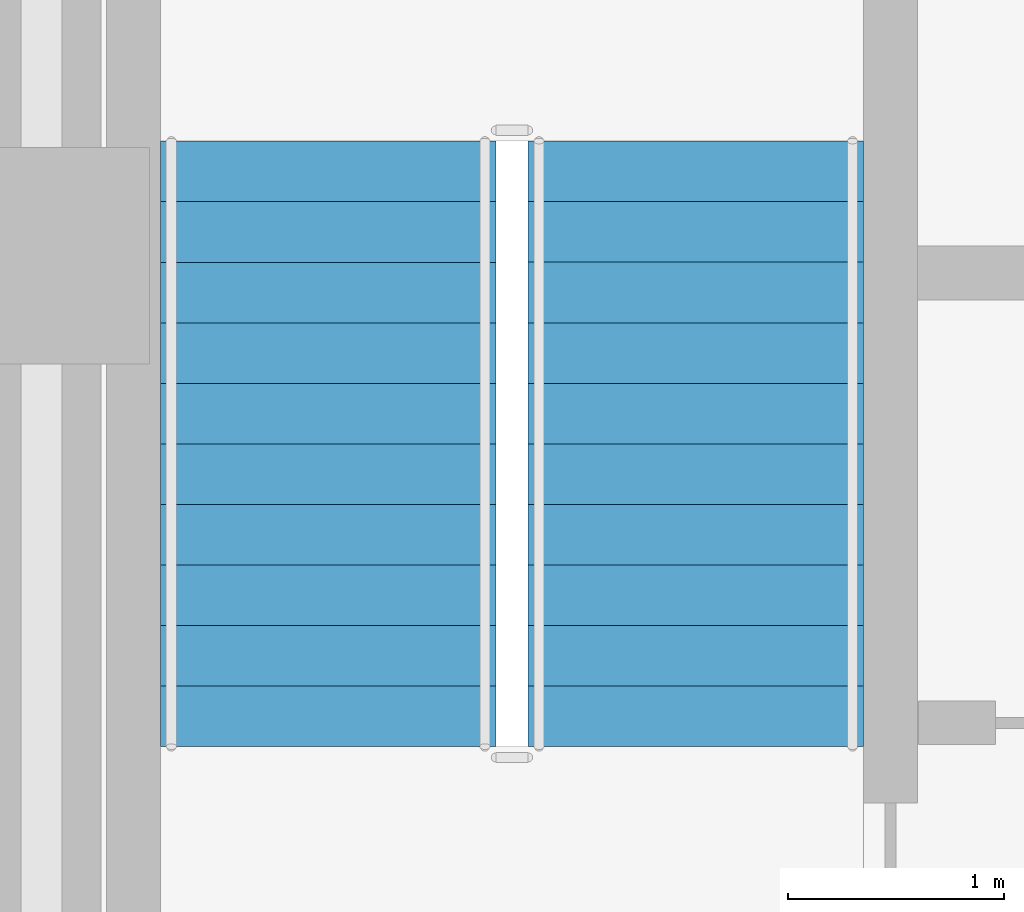
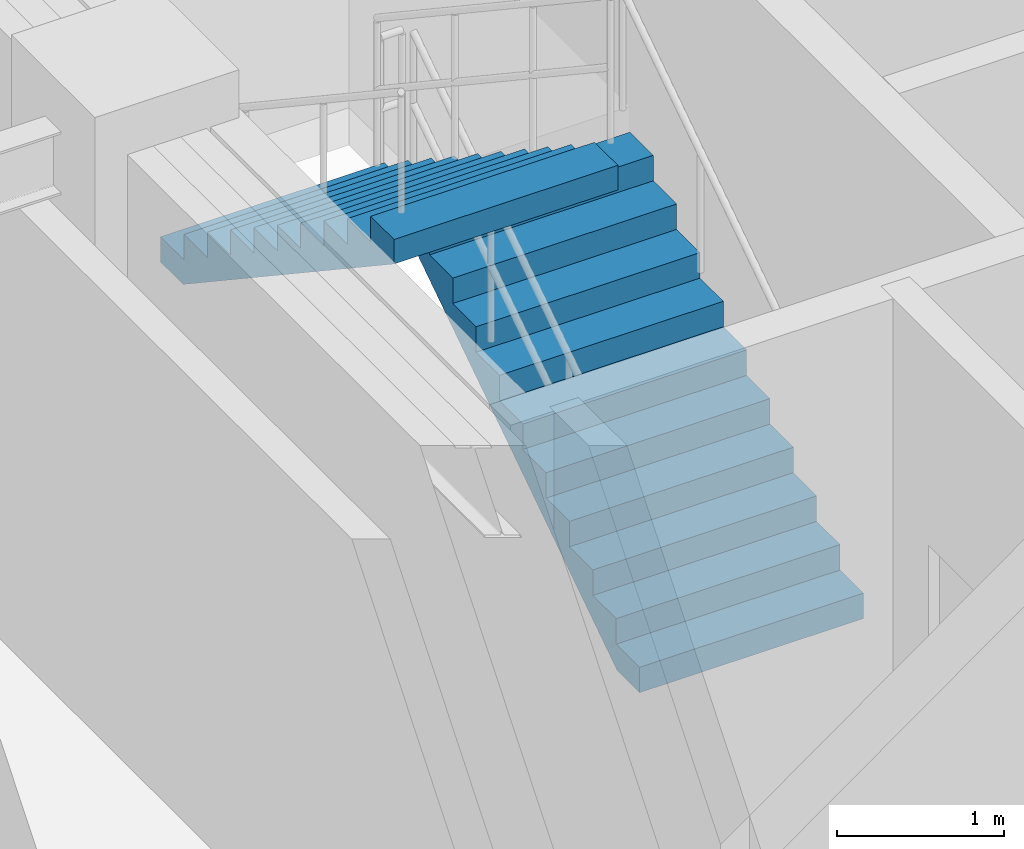
# One storey, part 27 of 30: 2 stair flights, 1 element without a shape of its own.
"""IFC4 building model written with IfcOpenShell, lengths in metres."""

from ifc_helpers import new_model, si_unit, direction, frame, origin, place, context, subcontext, project, spatial, polyline, outline, extrude, material, type_object, element, aggregate, save


model = new_model("IFC4")

# Units and contexts
model_context = context("Model", 3, precision=1e-05, world=origin(), true_north=direction((0.0, 1.0)))
body_context = subcontext(model_context, "Body", "Model", "MODEL_VIEW")
ifc_project = project(units=[si_unit("LENGTHUNIT", "METRE"), si_unit("AREAUNIT", "SQUARE_METRE"), si_unit("VOLUMEUNIT", "CUBIC_METRE"), si_unit("PLANEANGLEUNIT", "RADIAN"), si_unit("MASSUNIT", "GRAM", prefix="KILO")], contexts=[model_context])

# Site, building, storey
site_placement = place(None, origin())
site = spatial("IfcSite", under=ifc_project, at=site_placement, CompositionType="ELEMENT")
building_placement = place(site_placement, origin())
building = spatial("IfcBuilding", under=site, at=building_placement, Name="Nerrivon Quay Data Exchange", CompositionType="ELEMENT")
storey_placement = place(building_placement, frame((0.0, 0.0, 216.5)))
storey = spatial("IfcBuildingStorey", under=building, at=storey_placement, Name="L51", CompositionType="ELEMENT", Elevation=216.5)

# Stair, stair flights
ifc_material = material(Name="Concrete N50 (50 MPa)", Category="concrete")
stair_type = type_object("IfcStairType", Name="STAIR-DOG-41", PredefinedType="HALF_TURN_STAIR", material=ifc_material)
stair_placement = place(storey_placement, origin())
stair = element("IfcStair", 1, at=stair_placement, inside=storey, type_object=stair_type, Name="L51 West Core Fire Stair ST01", PredefinedType="HALF_TURN_STAIR")
stair_flight_type = type_object("IfcStairFlightType", Name="FLIGHT-DOG-41", PredefinedType="STRAIGHT", material=ifc_material)
stair_flight_1_placement = place(storey_placement, frame((11.425048828125, 31.330078125, 0.0), z_axis=(0.0, 0.0, 1.0), x_axis=(0.0, 1.0, 0.0)))
stair_flight_1 = element("IfcStairFlight", 2, at=stair_flight_1_placement, type_object=stair_flight_type, Name="ST01 flight 1", NumberOfRisers=11, NumberOfTreads=10, PredefinedType="STRAIGHT", RiserHeight=0.186363636, TreadLength=0.28, context=body_context, shape_type="SweptSolid", body=[
    extrude(outline(polyline([(0.0, 0.0), (0.0, 0.186279296875), (0.280029296875, 0.186279296875), (0.280029296875, 0.372802734375), (0.56005859375, 0.372802734375), (0.56005859375, 0.55908203125), (0.840087890625, 0.55908203125), (0.840087890625, 0.745361328125), (1.1201171875, 0.745361328125), (1.1201171875, 0.931884765625), (1.39990234375, 0.931884765625), (1.39990234375, 1.1181640625), (1.679931640625, 1.1181640625), (1.679931640625, 1.304443359375), (1.9599609375, 1.304443359375), (1.9599609375, 1.490966796875), (2.239990234375, 1.490966796875), (2.239990234375, 1.67724609375), (2.52001953125, 1.67724609375), (2.52001953125, 1.863525390625), (2.800048828125, 1.863525390625), (2.800048828125, 2.050048828125), (2.800048828125, 1.68359375), (0.2705078125, 0.0), (0.0, 0.0)])), frame((0.0, 0.77490234375, 0.0), z_axis=(0.0, -1.0, 0.0), x_axis=(1.0, 0.0, 0.0)), (0.0, 0.0, 1.0), 1.550048828125),
])
stair_flight_2_placement = place(storey_placement, frame((9.72509765625, 34.1298828125, 2.050048828125), z_axis=(0.0, 0.0, 1.0), x_axis=(0.0, -1.0, 0.0)))
stair_flight_2 = element("IfcStairFlight", 3, at=stair_flight_2_placement, type_object=stair_flight_type, Name="ST01 flight 2", NumberOfRisers=11, NumberOfTreads=10, PredefinedType="STRAIGHT", RiserHeight=0.186363636, TreadLength=0.28, context=body_context, shape_type="SweptSolid", body=[
    extrude(outline(polyline([(0.0, 0.0), (0.0, 0.186279296875), (0.280029296875, 0.186279296875), (0.280029296875, 0.372802734375), (0.56005859375, 0.372802734375), (0.56005859375, 0.55908203125), (0.840087890625, 0.55908203125), (0.840087890625, 0.745361328125), (1.1201171875, 0.745361328125), (1.1201171875, 0.931884765625), (1.39990234375, 0.931884765625), (1.39990234375, 1.1181640625), (1.679931640625, 1.1181640625), (1.679931640625, 1.304443359375), (1.9599609375, 1.304443359375), (1.9599609375, 1.490966796875), (2.239990234375, 1.490966796875), (2.239990234375, 1.67724609375), (2.52001953125, 1.67724609375), (2.52001953125, 1.863525390625), (2.800048828125, 1.863525390625), (2.800048828125, 2.050048828125), (2.800048828125, 1.68359375), (0.2705078125, 0.0), (0.0, 0.0)])), frame((0.0, 0.77490234375, 0.0), z_axis=(0.0, -1.0, 0.0), x_axis=(1.0, 0.0, 0.0)), (0.0, 0.0, 1.0), 1.550048828125),
])
aggregate(stair, [stair_flight_1, stair_flight_2])

save(model, "model.ifc")
